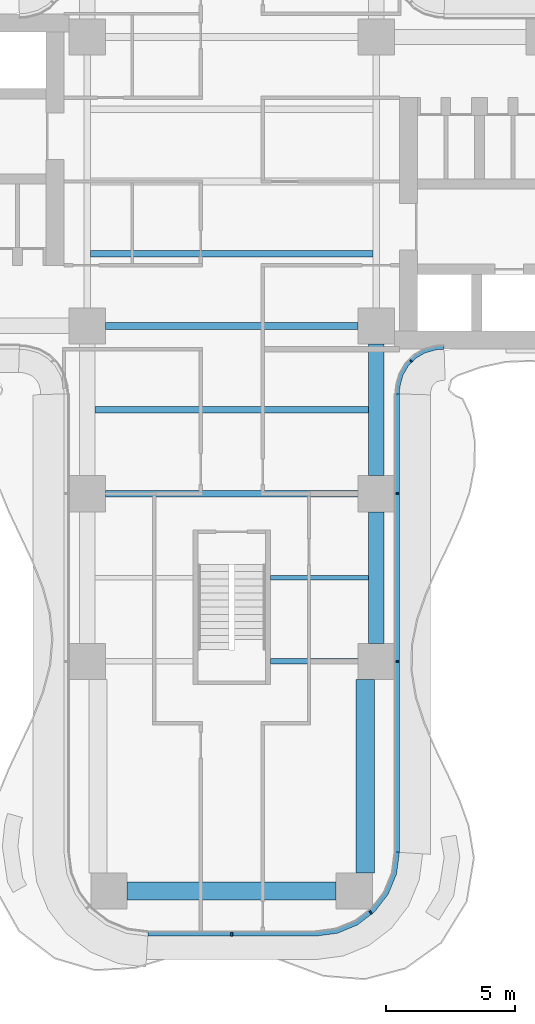
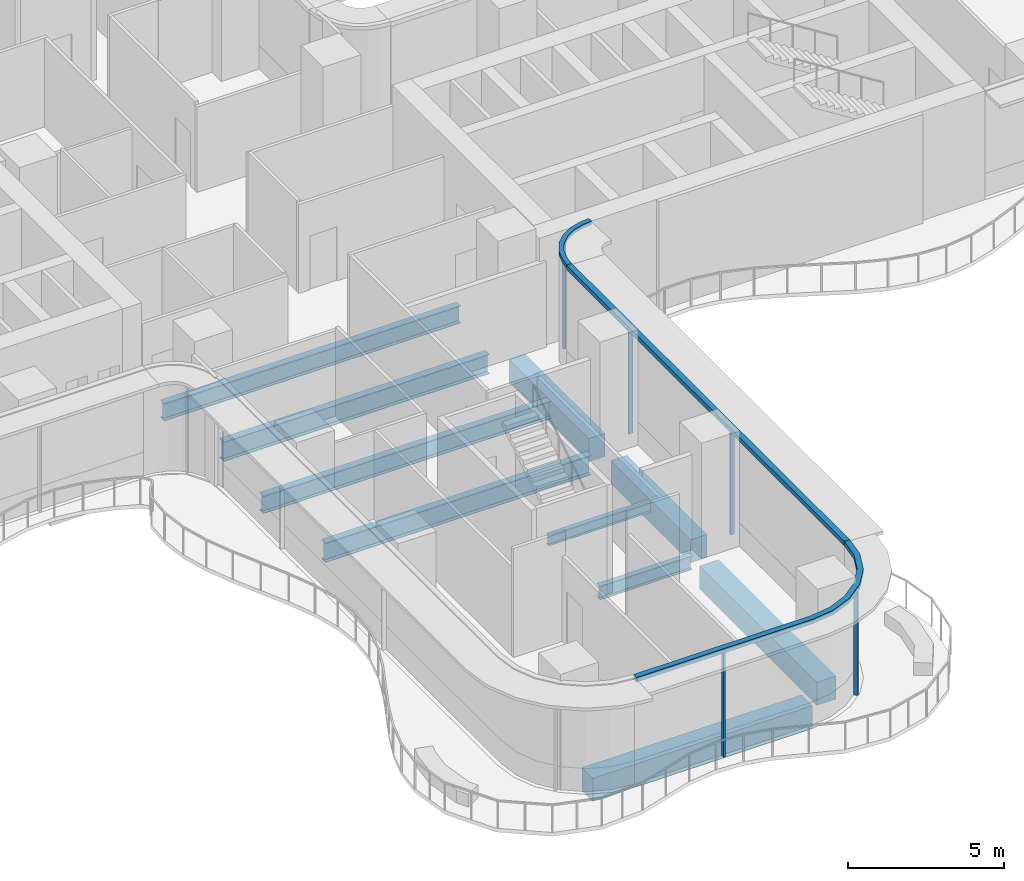
# One storey, part 5 of 23: 10 beams, 8 members, 3 elements without a shape of their own.
"""IFC4 building model written with IfcOpenShell, lengths in metres."""

from ifc_helpers import new_model, si_unit, direction, frame, origin, origin_2d, place, context, subcontext, project, spatial, polyline, rectangle, i_section, outline, extrude, source, transform, mapped, material, layer, layer_set, material_profile, profile_set, type_object, element, aggregate, save


model = new_model("IFC4")

# Units and contexts
model_context = context("Model", 3, precision=1e-05, world=origin(), true_north=direction((0.0, 1.0)))
body_context = subcontext(model_context, "Body", "Model", "MODEL_VIEW")
ifc_project = project(units=[si_unit("LENGTHUNIT", "METRE"), si_unit("AREAUNIT", "SQUARE_METRE"), si_unit("VOLUMEUNIT", "CUBIC_METRE"), si_unit("PLANEANGLEUNIT", "RADIAN"), si_unit("MASSUNIT", "GRAM", prefix="KILO")], contexts=[model_context])

# Site, building, storey
site_placement = place(None, origin())
site = spatial("IfcSite", under=ifc_project, at=site_placement, CompositionType="ELEMENT")
building_placement = place(site_placement, origin())
building = spatial("IfcBuilding", under=site, at=building_placement, Name="Trellis Farm Tower", CompositionType="ELEMENT")
storey_placement = place(building_placement, frame((0.0, 0.0, 83.5)))
storey = spatial("IfcBuildingStorey", under=building, at=storey_placement, Name="L17", CompositionType="ELEMENT", Elevation=83.5)

# Beams
ifc_material_1 = material(Name="Steel S355", Category="steel")
ifc_material_profile_1 = material_profile(ifc_material_1, i_section(OverallWidth=0.253662109375, OverallDepth=0.68359375, WebThickness=0.012451171875, FlangeThickness=0.021728515625, FilletRadius=0.01513671875, at=origin_2d()), Name="UB 686x254x140")
ifc_profile_set_1 = profile_set([ifc_material_profile_1], Name="Steel S355")
beam_type_1 = type_object("IfcBeamType", Name="UB 686x254x140 joist", PredefinedType="JOIST", material=ifc_profile_set_1)
shared_shape_1 = source(origin(), body_context, "Body", "SweptSolid", [
    extrude(i_section(OverallWidth=0.253662109375, OverallDepth=0.68359375, WebThickness=0.012451171875, FlangeThickness=0.021728515625, FilletRadius=0.01513671875, at=origin_2d()), origin(), (0.0, 0.0, 1.0), 10.93310546875),
])
beam_1_placement = place(storey_placement, frame((-5.466552734375, -2.800048828125, -0.591796875), z_axis=(1.0, 0.0, 0.0), x_axis=(0.0, 1.0, 0.0)))
element("IfcBeam", 1, at=beam_1_placement, inside=storey, type_object=beam_type_1, Name="Floor beam", PredefinedType="JOIST", context=body_context, shape_type="MappedRepresentation", body=[
    mapped(shared_shape_1, transform((0.0, 0.0, 0.0))),
])
ifc_material_profile_2 = material_profile(ifc_material_1, i_section(OverallWidth=0.209228515625, OverallDepth=0.533203125, WebThickness=0.010009765625, FlangeThickness=0.015625, FilletRadius=0.0126953125, at=origin_2d()), Name="UB 533x210x92")
ifc_profile_set_2 = profile_set([ifc_material_profile_2], Name="Steel S355")
beam_type_2 = type_object("IfcBeamType", Name="UB 533x210x92", PredefinedType="BEAM", material=ifc_profile_set_2)
shared_shape_2 = source(origin(), body_context, "Body", "SweptSolid", [
    extrude(i_section(OverallWidth=0.209228515625, OverallDepth=0.533203125, WebThickness=0.010009765625, FlangeThickness=0.015625, FilletRadius=0.0126953125, at=origin_2d()), origin(), (0.0, 0.0, 1.0), 3.39990234375),
])
beam_2_placement = place(storey_placement, frame((1.5, -18.60009765625, -0.5166015625), z_axis=(1.0, 0.0, 0.0), x_axis=(0.0, 1.0, 0.0)))
element("IfcBeam", 2, at=beam_2_placement, inside=storey, type_object=beam_type_2, Name="Girder", PredefinedType="BEAM", context=body_context, shape_type="MappedRepresentation", body=[
    mapped(shared_shape_2, transform((0.0, 0.0, 0.0))),
])
ifc_material_2 = material(Name="Concrete C60/75", Category="concrete")
ifc_material_profile_3 = material_profile(ifc_material_2, rectangle(XDim=0.60009765625, YDim=0.89990234375, at=origin_2d()), Name="RC spandrel beam 600x900 C60/75")
ifc_profile_set_3 = profile_set([ifc_material_profile_3], Name="Concrete C60/75")
beam_type_3 = type_object("IfcBeamType", Name="RC spandrel beam 600x900 C60/75", PredefinedType="SPANDREL", material=ifc_profile_set_3)
shared_shape_3 = source(origin(), body_context, "Body", "SweptSolid", [
    extrude(rectangle(XDim=0.60009765625, YDim=0.89990234375, at=origin_2d()), origin(), (0.0, 0.0, 1.0), 5.099853515625),
])
for number, where, z_axis, x_axis, name in (
    (3, (5.60009765625, -17.89990234375, -0.699951171875), (0.0, 1.0, 0.0), (-1.0, 0.0, 0.0), "Girder"),
    (4, (5.60009765625, -11.39990234375, -0.699951171875), (0.0, 1.0, 0.0), (-1.0, 0.0, 0.0), "Girder"),
):
    element("IfcBeam", number, at=place(storey_placement, frame(where, z_axis=z_axis, x_axis=x_axis)), inside=storey, type_object=beam_type_3, Name=name, PredefinedType="SPANDREL", context=body_context, shape_type="MappedRepresentation", body=[
        mapped(shared_shape_3, transform((0.0, 0.0, 0.0))),
    ])
ifc_material_profile_4 = material_profile(ifc_material_1, i_section(OverallWidth=0.2666015625, OverallDepth=0.76220703125, WebThickness=0.014404296875, FlangeThickness=0.021484375, FilletRadius=0.0166015625, at=origin_2d()), Name="UB 762x267x173")
ifc_profile_set_4 = profile_set([ifc_material_profile_4], Name="Steel S355")
beam_type_4 = type_object("IfcBeamType", Name="UB 762x267x173", PredefinedType="BEAM", material=ifc_profile_set_4)
shared_shape_4 = source(origin(), body_context, "Body", "SweptSolid", [
    extrude(i_section(OverallWidth=0.2666015625, OverallDepth=0.76220703125, WebThickness=0.014404296875, FlangeThickness=0.021484375, FilletRadius=0.0166015625, at=origin_2d()), origin(), (0.0, 0.0, 1.0), 9.7998046875),
])
for number, where, z_axis, x_axis, name in (
    (5, (-4.89990234375, -12.10009765625, -0.631103515625), (1.0, 0.0, 0.0), (0.0, 1.0, 0.0), "Girder"),
    (6, (-4.89990234375, -5.60009765625, -0.631103515625), (1.0, 0.0, 0.0), (0.0, 1.0, 0.0), "Girder"),
):
    element("IfcBeam", number, at=place(storey_placement, frame(where, z_axis=z_axis, x_axis=x_axis)), inside=storey, type_object=beam_type_4, Name=name, PredefinedType="BEAM", context=body_context, shape_type="MappedRepresentation", body=[
        mapped(shared_shape_4, transform((0.0, 0.0, 0.0))),
    ])
ifc_material_profile_5 = material_profile(ifc_material_2, rectangle(XDim=0.699951171875, YDim=0.89990234375, at=origin_2d()), Name="RC spandrel beam 700x900 C60/75")
ifc_profile_set_5 = profile_set([ifc_material_profile_5], Name="Concrete C60/75")
beam_type_5 = type_object("IfcBeamType", Name="RC spandrel beam 700x900 C60/75", PredefinedType="SPANDREL", material=ifc_profile_set_5)
shared_shape_5 = source(origin(), body_context, "Body", "SweptSolid", [
    extrude(rectangle(XDim=0.699951171875, YDim=0.89990234375, at=origin_2d()), origin(), (0.0, 0.0, 1.0), 8.10009765625),
])
beam_3_placement = place(storey_placement, frame((-4.050048828125, -27.5, -0.699951171875), z_axis=(1.0, 0.0, 0.0), x_axis=(0.0, 1.0, 0.0)))
element("IfcBeam", 7, at=beam_3_placement, inside=storey, type_object=beam_type_5, Name="Girder", PredefinedType="SPANDREL", context=body_context, shape_type="MappedRepresentation", body=[
    mapped(shared_shape_5, transform((0.0, 0.0, 0.0))),
])
shared_shape_6 = source(origin(), body_context, "Body", "SweptSolid", [
    extrude(rectangle(XDim=0.699951171875, YDim=0.89990234375, at=origin_2d()), origin(), (0.0, 0.0, 1.0), 7.5),
])
beam_4_placement = place(storey_placement, frame((5.175048828125, -26.800048828125, -0.699951171875), z_axis=(0.0, 1.0, 0.0), x_axis=(-1.0, 0.0, 0.0)))
element("IfcBeam", 8, at=beam_4_placement, inside=storey, type_object=beam_type_5, Name="Girder", PredefinedType="SPANDREL", context=body_context, shape_type="MappedRepresentation", body=[
    mapped(shared_shape_6, transform((0.0, 0.0, 0.0))),
])
ifc_material_profile_6 = material_profile(ifc_material_1, i_section(OverallWidth=0.177978515625, OverallDepth=0.406494140625, WebThickness=0.0078125, FlangeThickness=0.0126953125, FilletRadius=0.01025390625, at=origin_2d()), Name="UB 406x178x60")
ifc_profile_set_6 = profile_set([ifc_material_profile_6], Name="Steel S355")
beam_type_6 = type_object("IfcBeamType", Name="UB 406x178x60 joist", PredefinedType="JOIST", material=ifc_profile_set_6)
shared_shape_7 = source(origin(), body_context, "Body", "SweptSolid", [
    extrude(i_section(OverallWidth=0.177978515625, OverallDepth=0.406494140625, WebThickness=0.0078125, FlangeThickness=0.0126953125, FilletRadius=0.01025390625, at=origin_2d()), origin(), (0.0, 0.0, 1.0), 3.800048828125),
])
beam_5_placement = place(storey_placement, frame((1.5, -15.35009765625, -0.453125), z_axis=(1.0, 0.0, 0.0), x_axis=(0.0, 1.0, 0.0)))
element("IfcBeam", 9, at=beam_5_placement, inside=storey, type_object=beam_type_6, Name="Floor beam", PredefinedType="JOIST", context=body_context, shape_type="MappedRepresentation", body=[
    mapped(shared_shape_7, transform((0.0, 0.0, 0.0))),
])
shared_shape_8 = source(origin(), body_context, "Body", "SweptSolid", [
    extrude(i_section(OverallWidth=0.253662109375, OverallDepth=0.68359375, WebThickness=0.012451171875, FlangeThickness=0.021728515625, FilletRadius=0.01513671875, at=origin_2d()), origin(), (0.0, 0.0, 1.0), 10.60009765625),
])
beam_6_placement = place(storey_placement, frame((-5.300048828125, -8.85009765625, -0.591796875), z_axis=(1.0, 0.0, 0.0), x_axis=(0.0, 1.0, 0.0)))
element("IfcBeam", 10, at=beam_6_placement, inside=storey, type_object=beam_type_1, Name="Floor beam", PredefinedType="JOIST", context=body_context, shape_type="MappedRepresentation", body=[
    mapped(shared_shape_8, transform((0.0, 0.0, 0.0))),
])

# Curtain wall, members
ifc_material_3 = material(Name="Aluminium and glass curtain wall", Category="aluminium")
ifc_layer_1 = layer(ifc_material_3, 0.18994140625)
ifc_layer_set_1 = layer_set([ifc_layer_1], Name="RIBBON CURTAIN WALL CW1")
curtain_wall_type_1 = type_object("IfcCurtainWallType", Name="RIBBON CURTAIN WALL CW1", PredefinedType="NOTDEFINED", material=ifc_layer_set_1)
placement_1 = place(storey_placement, origin())
curtain_wall_1 = element("IfcCurtainWall", 11, at=placement_1, inside=storey, type_object=curtain_wall_type_1, Name="CW1 003", PredefinedType="NOTDEFINED")
ifc_material_4 = material(Name="Aluminium extrusion 6063-T6", Category="aluminium")
ifc_material_profile_7 = material_profile(ifc_material_4, rectangle(XDim=0.06005859375, YDim=0.14990234375, at=origin_2d()), Name="MULLION 60x150")
ifc_profile_set_7 = profile_set([ifc_material_profile_7], Name="Aluminium extrusion 6063-T6")
member_type_1 = type_object("IfcMemberType", Name="CW1 MULLION 60x150", PredefinedType="MULLION", material=ifc_profile_set_7)
shared_shape_9 = source(origin(), body_context, "Body", "SweptSolid", [
    extrude(rectangle(XDim=0.06005859375, YDim=0.14990234375, at=origin_2d()), origin(), (0.0, 0.0, 1.0), 4.070068359375),
])
member_1_placement = place(storey_placement, frame((0.0, -29.175048828125, 0.0), z_axis=(0.0, 0.0, 1.0), x_axis=(1.0, 0.0, 0.0)))
member_1 = element("IfcMember", 12, at=member_1_placement, type_object=member_type_1, Name="MU1 003-01", PredefinedType="MULLION", context=body_context, shape_type="MappedRepresentation", body=[
    mapped(shared_shape_9, transform((0.0, 0.0, 0.0))),
])
member_2_placement = place(storey_placement, frame((5.385498046875, -28.328369140625, 0.0), z_axis=(0.0, 0.0, 1.0), x_axis=(0.793353340291, 0.608761429009, 0.0)))
member_2 = element("IfcMember", 13, at=member_2_placement, type_object=member_type_1, Name="MU1 003-02", PredefinedType="MULLION", context=body_context, shape_type="MappedRepresentation", body=[
    mapped(shared_shape_9, transform((0.0, 0.0, 0.0))),
])

curtain_wall_2 = element("IfcCurtainWall", 14, at=placement_1, inside=storey, type_object=curtain_wall_type_1, Name="CW1 004", PredefinedType="NOTDEFINED")
member_3_placement = place(storey_placement, frame((6.425048828125, -18.60009765625, 0.0), z_axis=(0.0, 0.0, 1.0), x_axis=(0.0, 1.0, 0.0)))
member_3 = element("IfcMember", 15, at=member_3_placement, type_object=member_type_1, Name="MU1 004-01", PredefinedType="MULLION", context=body_context, shape_type="MappedRepresentation", body=[
    mapped(shared_shape_9, transform((0.0, 0.0, 0.0))),
])
member_4_placement = place(storey_placement, frame((6.425048828125, -12.10009765625, 0.0), z_axis=(0.0, 0.0, 1.0), x_axis=(0.0, 1.0, 0.0)))
member_4 = element("IfcMember", 16, at=member_4_placement, type_object=member_type_1, Name="MU1 004-02", PredefinedType="MULLION", context=body_context, shape_type="MappedRepresentation", body=[
    mapped(shared_shape_9, transform((0.0, 0.0, 0.0))),
])

# Curtain wall, member
ifc_layer_2 = layer(ifc_material_3, 0.166015625)
ifc_layer_set_2 = layer_set([ifc_layer_2], Name="WINTER GARDEN CURTAIN WALL CW3")
curtain_wall_type_2 = type_object("IfcCurtainWallType", Name="WINTER GARDEN CURTAIN WALL CW3", PredefinedType="NOTDEFINED", material=ifc_layer_set_2)
curtain_wall_3 = element("IfcCurtainWall", 17, at=placement_1, inside=storey, type_object=curtain_wall_type_2, Name="CW3 002", PredefinedType="NOTDEFINED")
ifc_material_profile_8 = material_profile(ifc_material_4, rectangle(XDim=0.050048828125, YDim=0.1201171875, at=origin_2d()), Name="MULLION 50x120")
ifc_profile_set_8 = profile_set([ifc_material_profile_8], Name="Aluminium extrusion 6063-T6")
member_type_2 = type_object("IfcMemberType", Name="CW3 MULLION 50x120", PredefinedType="MULLION", material=ifc_profile_set_8)
shared_shape_10 = source(origin(), body_context, "Body", "SweptSolid", [
    extrude(rectangle(XDim=0.050048828125, YDim=0.1201171875, at=origin_2d()), origin(), (0.0, 0.0, 1.0), 4.10009765625),
])
member_5_placement = place(storey_placement, frame((6.953125, -6.953125, 0.0), z_axis=(0.0, 0.0, 1.0), x_axis=(0.707106781187, 0.707106781187, 0.0)))
member_5 = element("IfcMember", 18, at=member_5_placement, type_object=member_type_2, Name="MU3 002-01", PredefinedType="MULLION", context=body_context, shape_type="MappedRepresentation", body=[
    mapped(shared_shape_10, transform((0.0, 0.0, 0.0))),
])

# Member
ifc_layer_3 = layer(ifc_material_4, 0.199951171875)
ifc_layer_set_3 = layer_set([ifc_layer_3], Name="Aluminium extrusion 6063-T6")
member_type_3 = type_object("IfcMemberType", Name="CW1 TRANSOM 200x180", PredefinedType="USERDEFINED", material=ifc_layer_set_3)
shared_shape_11 = source(origin(), body_context, "Body", "SweptSolid", [
    extrude(outline(polyline([(-3.25, -29.25), (3.25, -29.25), (4.091064453125, -29.13916015625), (4.875, -28.814697265625), (5.548095703125, -28.298095703125), (6.064697265625, -27.625), (6.38916015625, -26.841064453125), (6.5, -26.0), (6.300048828125, -25.98681640625), (6.1943359375, -26.7890625), (5.889892578125, -27.524169921875), (5.405517578125, -28.155517578125), (4.774169921875, -28.639892578125), (4.0390625, -28.9443359375), (3.23681640625, -29.050048828125), (-3.23681640625, -29.050048828125), (-3.25, -29.25)])), origin(), (0.0, 0.0, 1.0), 0.179931640625),
])
placement_2 = place(storey_placement, frame((0.0, 0.0, 4.070068359375)))
member_6 = element("IfcMember", 19, at=placement_2, type_object=member_type_3, Name="TR1 003", ObjectType="TRANSOM", PredefinedType="USERDEFINED", context=body_context, shape_type="MappedRepresentation", body=[
    mapped(shared_shape_11, transform((0.0, 0.0, 0.0))),
])

aggregate(curtain_wall_1, [member_1, member_2, member_6])

shared_shape_12 = source(origin(), body_context, "Body", "SweptSolid", [
    extrude(outline(polyline([(6.5, -26.0), (6.5, -8.2314453125), (6.300048828125, -8.224853515625), (6.300048828125, -25.98681640625), (6.5, -26.0)])), origin(), (0.0, 0.0, 1.0), 0.179931640625),
])
member_7 = element("IfcMember", 20, at=placement_2, type_object=member_type_3, Name="TR1 004", ObjectType="TRANSOM", PredefinedType="USERDEFINED", context=body_context, shape_type="MappedRepresentation", body=[
    mapped(shared_shape_12, transform((0.0, 0.0, 0.0))),
])

aggregate(curtain_wall_2, [member_3, member_4, member_7])

ifc_layer_4 = layer(ifc_material_4, 0.169921875)
ifc_layer_set_4 = layer_set([ifc_layer_4], Name="Aluminium extrusion 6063-T6")
member_type_4 = type_object("IfcMemberType", Name="CW3 TRANSOM 170x150", PredefinedType="USERDEFINED", material=ifc_layer_set_4)
shared_shape_13 = source(origin(), body_context, "Body", "SweptSolid", [
    extrude(outline(polyline([(6.5, -8.2314453125), (6.513916015625, -8.01953125), (6.527587890625, -7.91552734375), (6.63671875, -7.508544921875), (6.846923828125, -7.144287109375), (7.144287109375, -6.846923828125), (7.508544921875, -6.63671875), (7.91552734375, -6.527587890625), (8.01953125, -6.513916015625), (8.2314453125, -6.5), (8.225830078125, -6.330078125), (8.0029296875, -6.3447265625), (7.88232421875, -6.360595703125), (7.44287109375, -6.478271484375), (7.0400390625, -6.7109375), (6.7109375, -7.0400390625), (6.478271484375, -7.44287109375), (6.360595703125, -7.88232421875), (6.3447265625, -8.0029296875), (6.330078125, -8.225830078125), (6.5, -8.2314453125)])), origin(), (0.0, 0.0, 1.0), 0.14990234375),
])
member_8_placement = place(storey_placement, frame((0.0, 0.0, 4.10009765625)))
member_8 = element("IfcMember", 21, at=member_8_placement, type_object=member_type_4, Name="TR3 002", ObjectType="TRANSOM", PredefinedType="USERDEFINED", context=body_context, shape_type="MappedRepresentation", body=[
    mapped(shared_shape_13, transform((0.0, 0.0, 0.0))),
])

aggregate(curtain_wall_3, [member_5, member_8])

save(model, "model.ifc")
